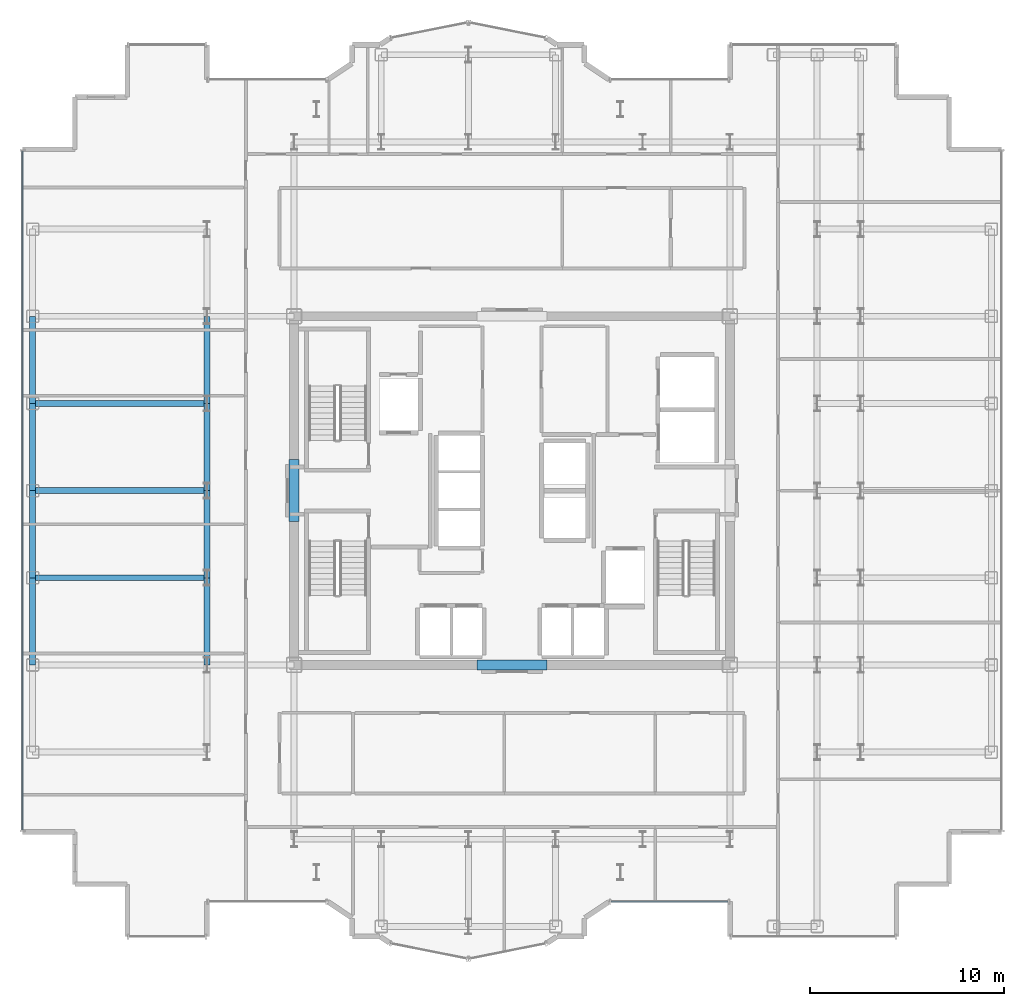
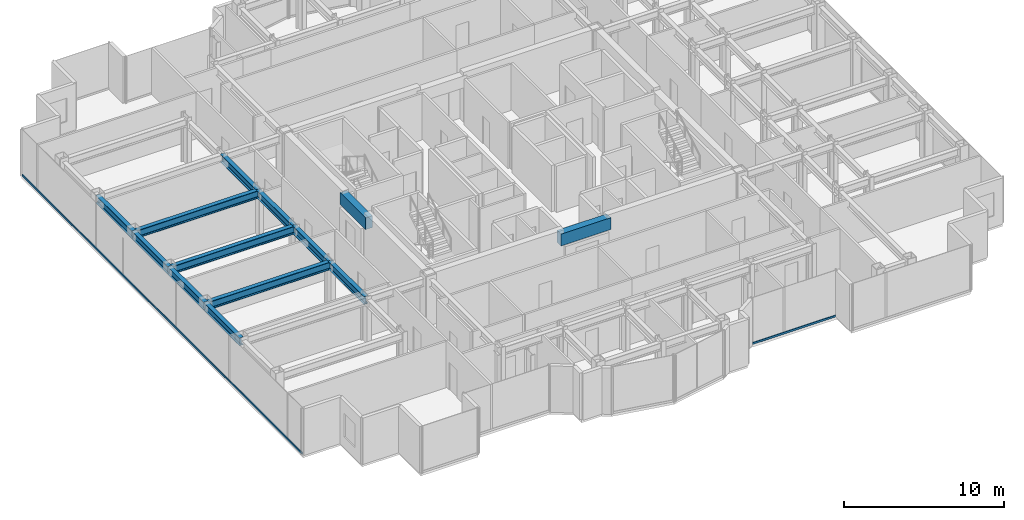
# One storey, part 4 of 20: 13 beams, 2 members, 2 elements without a shape of their own.
"""IFC4 building model written with IfcOpenShell, lengths in metres."""

from ifc_helpers import new_model, si_unit, direction, frame, origin, origin_2d, place, context, subcontext, project, spatial, rectangle, hollow_rectangle, i_section, extrude, source, transform, mapped, material, layer, layer_set, material_profile, profile_set, type_object, element, aggregate, save


model = new_model("IFC4")

# Units and contexts
model_context = context("Model", 3, precision=1e-05, world=origin(), true_north=direction((0.0, 1.0)))
body_context = subcontext(model_context, "Body", "Model", "MODEL_VIEW")
ifc_project = project(units=[si_unit("LENGTHUNIT", "METRE"), si_unit("AREAUNIT", "SQUARE_METRE"), si_unit("VOLUMEUNIT", "CUBIC_METRE"), si_unit("PLANEANGLEUNIT", "RADIAN"), si_unit("MASSUNIT", "GRAM", prefix="KILO")], contexts=[model_context])

# Site, building, storey
site_placement = place(None, origin())
site = spatial("IfcSite", under=ifc_project, at=site_placement, CompositionType="ELEMENT")
building_placement = place(site_placement, origin())
building = spatial("IfcBuilding", under=site, at=building_placement, Name="Nefas-Gora Pilgrimage Tower", CompositionType="ELEMENT")
storey_placement = place(building_placement, frame((0.0, 0.0, 214.199951171875)))
storey = spatial("IfcBuildingStorey", under=building, at=storey_placement, Name="L53", CompositionType="ELEMENT", Elevation=214.199951171875)

# Beams
ifc_material_1 = material(Name="Concrete C50/60", Category="concrete")
ifc_material_profile_1 = material_profile(ifc_material_1, rectangle(XDim=0.5, YDim=0.89990234375, at=origin_2d()), Name="RC 500x900")
ifc_profile_set_1 = profile_set([ifc_material_profile_1], Name="Concrete C50/60")
beam_type_1 = type_object("IfcBeamType", Name="BM-LIN-RC900", PredefinedType="LINTEL", material=ifc_profile_set_1)
shared_shape_1 = source(origin(), body_context, "Body", "SweptSolid", [
    extrude(rectangle(XDim=0.5, YDim=0.89990234375, at=origin_2d()), origin(), (0.0, 0.0, 1.0), 3.60009765625),
])
beam_1_placement = place(storey_placement, frame((-1.800048828125, -9.0, 3.10009765625), z_axis=(1.0, 0.0, 0.0), x_axis=(0.0, 1.0, 0.0)))
element("IfcBeam", 1, at=beam_1_placement, inside=storey, type_object=beam_type_1, Name="L53 Core Coupling Lintel Beam S", PredefinedType="LINTEL", context=body_context, shape_type="MappedRepresentation", body=[
    mapped(shared_shape_1, transform((0.0, 0.0, 0.0), x_axis=(1.0, 0.0, 0.0), y_axis=(0.0, 1.0, 0.0), z_axis=(0.0, 0.0, 1.0), scale=1.0)),
])
shared_shape_2 = source(origin(), body_context, "Body", "SweptSolid", [
    extrude(rectangle(XDim=0.5, YDim=0.89990234375, at=origin_2d()), origin(), (0.0, 0.0, 1.0), 3.2001953125),
])
beam_2_placement = place(storey_placement, frame((-11.25, -1.60009765625, 3.10009765625), z_axis=(0.0, 1.0, 0.0), x_axis=(-1.0, 0.0, 0.0)))
element("IfcBeam", 2, at=beam_2_placement, inside=storey, type_object=beam_type_1, Name="L53 Core Coupling Lintel Beam W", PredefinedType="LINTEL", context=body_context, shape_type="MappedRepresentation", body=[
    mapped(shared_shape_2, transform((0.0, 0.0, 0.0), x_axis=(1.0, 0.0, 0.0), y_axis=(0.0, 1.0, 0.0), z_axis=(0.0, 0.0, 1.0), scale=1.0)),
])
ifc_material_2 = material(Name="Steel S355", Category="steel")
ifc_material_profile_2 = material_profile(ifc_material_2, i_section(OverallWidth=0.300048828125, OverallDepth=0.60009765625, WebThickness=0.015380859375, FlangeThickness=0.030029296875, FilletRadius=0.027099609375, at=origin_2d()), Name="HEB 600")
ifc_profile_set_2 = profile_set([ifc_material_profile_2], Name="Steel S355")
beam_type_2 = type_object("IfcBeamType", Name="BM-SPN-HEB450", PredefinedType="SPANDREL", material=ifc_profile_set_2)
shared_shape_3 = source(origin(), body_context, "Body", "SweptSolid", [
    extrude(i_section(OverallWidth=0.300048828125, OverallDepth=0.60009765625, WebThickness=0.015380859375, FlangeThickness=0.030029296875, FilletRadius=0.027099609375, at=origin_2d()), origin(), (0.0, 0.0, 1.0), 4.5),
])
for number, where, z_axis, x_axis, name in (
    (3, (-24.75, -9.0, 3.25), (0.0, 1.0, 0.0), (-1.0, 0.0, 0.0), "L53 SP-03 beam"),
    (4, (-24.75, -4.5, 3.25), (0.0, 1.0, 0.0), (-1.0, 0.0, 0.0), "L53 SP-03 beam"),
    (5, (-24.75, 0.0, 3.25), (0.0, 1.0, 0.0), (-1.0, 0.0, 0.0), "L53 SP-03 beam"),
    (6, (-24.75, 4.5, 3.25), (0.0, 1.0, 0.0), (-1.0, 0.0, 0.0), "L53 SP-03 beam"),
):
    element("IfcBeam", number, at=place(storey_placement, frame(where, z_axis=z_axis, x_axis=x_axis)), inside=storey, type_object=beam_type_2, Name=name, PredefinedType="SPANDREL", context=body_context, shape_type="MappedRepresentation", body=[
        mapped(shared_shape_3, transform((0.0, 0.0, 0.0), x_axis=(1.0, 0.0, 0.0), y_axis=(0.0, 1.0, 0.0), z_axis=(0.0, 0.0, 1.0), scale=1.0)),
    ])
ifc_material_profile_3 = material_profile(ifc_material_2, i_section(OverallWidth=0.300048828125, OverallDepth=0.60009765625, WebThickness=0.015380859375, FlangeThickness=0.030029296875, FilletRadius=0.027099609375, at=origin_2d()), Name="HEB 600")
ifc_profile_set_3 = profile_set([ifc_material_profile_3], Name="Steel S355")
beam_type_3 = type_object("IfcBeamType", Name="BM-GIR-HEB600", PredefinedType="BEAM", material=ifc_profile_set_3)
shared_shape_4 = source(origin(), body_context, "Body", "SweptSolid", [
    extrude(i_section(OverallWidth=0.300048828125, OverallDepth=0.60009765625, WebThickness=0.015380859375, FlangeThickness=0.030029296875, FilletRadius=0.027099609375, at=origin_2d()), origin(), (0.0, 0.0, 1.0), 9.0),
])
for number, where, z_axis, x_axis, name in (
    (7, (-24.75, -4.5, 3.25), (1.0, 0.0, 0.0), (0.0, 1.0, 0.0), "L53 G-04 beam"),
    (8, (-24.75, 0.0, 3.25), (1.0, 0.0, 0.0), (0.0, 1.0, 0.0), "L53 G-04 beam"),
    (9, (-24.75, 4.5, 3.25), (1.0, 0.0, 0.0), (0.0, 1.0, 0.0), "L53 G-04 beam"),
):
    element("IfcBeam", number, at=place(storey_placement, frame(where, z_axis=z_axis, x_axis=x_axis)), inside=storey, type_object=beam_type_3, Name=name, PredefinedType="BEAM", context=body_context, shape_type="MappedRepresentation", body=[
        mapped(shared_shape_4, transform((0.0, 0.0, 0.0), x_axis=(1.0, 0.0, 0.0), y_axis=(0.0, 1.0, 0.0), z_axis=(0.0, 0.0, 1.0), scale=1.0)),
    ])
shared_shape_5 = source(origin(), body_context, "Body", "SweptSolid", [
    extrude(i_section(OverallWidth=0.300048828125, OverallDepth=0.60009765625, WebThickness=0.015380859375, FlangeThickness=0.030029296875, FilletRadius=0.027099609375, at=origin_2d()), origin(), (0.0, 0.0, 1.0), 4.5),
])
for number, where, z_axis, x_axis, name in (
    (10, (-15.75, -9.0, 3.25), (0.0, 1.0, 0.0), (-1.0, 0.0, 0.0), "L53 G-04 beam"),
    (11, (-15.75, -4.5, 3.25), (0.0, 1.0, 0.0), (-1.0, 0.0, 0.0), "L53 G-04 beam"),
    (12, (-15.75, 0.0, 3.25), (0.0, 1.0, 0.0), (-1.0, 0.0, 0.0), "L53 G-04 beam"),
    (13, (-15.75, 4.5, 3.25), (0.0, 1.0, 0.0), (-1.0, 0.0, 0.0), "L53 G-04 beam"),
):
    element("IfcBeam", number, at=place(storey_placement, frame(where, z_axis=z_axis, x_axis=x_axis)), inside=storey, type_object=beam_type_3, Name=name, PredefinedType="BEAM", context=body_context, shape_type="MappedRepresentation", body=[
        mapped(shared_shape_5, transform((0.0, 0.0, 0.0), x_axis=(1.0, 0.0, 0.0), y_axis=(0.0, 1.0, 0.0), z_axis=(0.0, 0.0, 1.0), scale=1.0)),
    ])

# Curtain wall, member
ifc_material_3 = material(Name="Dark ceramic-fritted solar-control aluminium-glass curtain wall", Category="aluminium")
ifc_layer_1 = layer(ifc_material_3, 0.219970703125)
ifc_layer_set_1 = layer_set([ifc_layer_1], Name="Dark ceramic-fritted solar-control aluminium-glass curtain wall")
curtain_wall_type_1 = type_object("IfcCurtainWallType", Name="CW-SYS-5", PredefinedType="NOTDEFINED", material=ifc_layer_set_1)
curtain_wall_1_placement = place(storey_placement, origin())
curtain_wall_1 = element("IfcCurtainWall", 14, at=curtain_wall_1_placement, inside=storey, type_object=curtain_wall_type_1, Name="L53 Unitised Curtain Wall CW5", PredefinedType="NOTDEFINED")
ifc_material_4 = material(Name="Anodised architectural aluminium", Category="aluminium")
ifc_material_profile_4 = material_profile(ifc_material_4, hollow_rectangle(XDim=0.080078125, YDim=0.159912109375, WallThickness=0.00439453125, InnerFilletRadius=0.00439453125, OuterFilletRadius=0.009033203125, at=origin_2d()), Name="ALU TRANSOM 80x160")
ifc_profile_set_4 = profile_set([ifc_material_profile_4], Name="Anodised architectural aluminium")
member_type_1 = type_object("IfcMemberType", Name="CWM-TRN-5", PredefinedType="USERDEFINED", material=ifc_profile_set_4)
shared_shape_6 = source(origin(), body_context, "Body", "SweptSolid", [
    extrude(hollow_rectangle(XDim=0.080078125, YDim=0.159912109375, WallThickness=0.00439453125, InnerFilletRadius=0.00439453125, OuterFilletRadius=0.009033203125, at=origin_2d()), origin(), (0.0, 0.0, 1.0), 6.052001953125),
])
member_1_placement = place(storey_placement, frame((5.10791015625, -21.219970703125, 0.050048828125), z_axis=(1.0, 0.0, 0.0), x_axis=(0.0, 1.0, 0.0)))
member_1 = element("IfcMember", 15, at=member_1_placement, type_object=member_type_1, Name="CW5 Spandrel Transom", ObjectType="TRANSOM", PredefinedType="USERDEFINED", context=body_context, shape_type="MappedRepresentation", body=[
    mapped(shared_shape_6, transform((0.0, 0.0, 0.0), x_axis=(1.0, 0.0, 0.0), y_axis=(0.0, 1.0, 0.0), z_axis=(0.0, 0.0, 1.0), scale=1.0)),
])
aggregate(curtain_wall_1, [member_1])

ifc_layer_2 = layer(ifc_material_3, 0.219970703125)
ifc_layer_set_2 = layer_set([ifc_layer_2], Name="Dark ceramic-fritted solar-control aluminium-glass curtain wall")
curtain_wall_type_2 = type_object("IfcCurtainWallType", Name="CW-SYS-3", PredefinedType="NOTDEFINED", material=ifc_layer_set_2)
curtain_wall_2_placement = place(storey_placement, origin())
curtain_wall_2 = element("IfcCurtainWall", 16, at=curtain_wall_2_placement, inside=storey, type_object=curtain_wall_type_2, Name="L53 Unitised Curtain Wall CW3", PredefinedType="NOTDEFINED")
ifc_material_profile_5 = material_profile(ifc_material_4, hollow_rectangle(XDim=0.080078125, YDim=0.159912109375, WallThickness=0.00439453125, InnerFilletRadius=0.00439453125, OuterFilletRadius=0.009033203125, at=origin_2d()), Name="ALU TRANSOM 80x160")
ifc_profile_set_5 = profile_set([ifc_material_profile_5], Name="Anodised architectural aluminium")
member_type_2 = type_object("IfcMemberType", Name="CWM-TRN-3", PredefinedType="USERDEFINED", material=ifc_profile_set_5)
shared_shape_7 = source(origin(), body_context, "Body", "SweptSolid", [
    extrude(hollow_rectangle(XDim=0.080078125, YDim=0.159912109375, WallThickness=0.00439453125, InnerFilletRadius=0.00439453125, OuterFilletRadius=0.009033203125, at=origin_2d()), origin(), (0.0, 0.0, 1.0), 35.06005859375),
])
member_2_placement = place(storey_placement, frame((-25.27001953125, 17.530029296875, 0.050048828125), z_axis=(0.0, -1.0, 0.0), x_axis=(1.0, 0.0, 0.0)))
member_2 = element("IfcMember", 17, at=member_2_placement, type_object=member_type_2, Name="CW3 Spandrel Transom", ObjectType="TRANSOM", PredefinedType="USERDEFINED", context=body_context, shape_type="MappedRepresentation", body=[
    mapped(shared_shape_7, transform((0.0, 0.0, 0.0), x_axis=(1.0, 0.0, 0.0), y_axis=(0.0, 1.0, 0.0), z_axis=(0.0, 0.0, 1.0), scale=1.0)),
])
aggregate(curtain_wall_2, [member_2])

save(model, "model.ifc")
